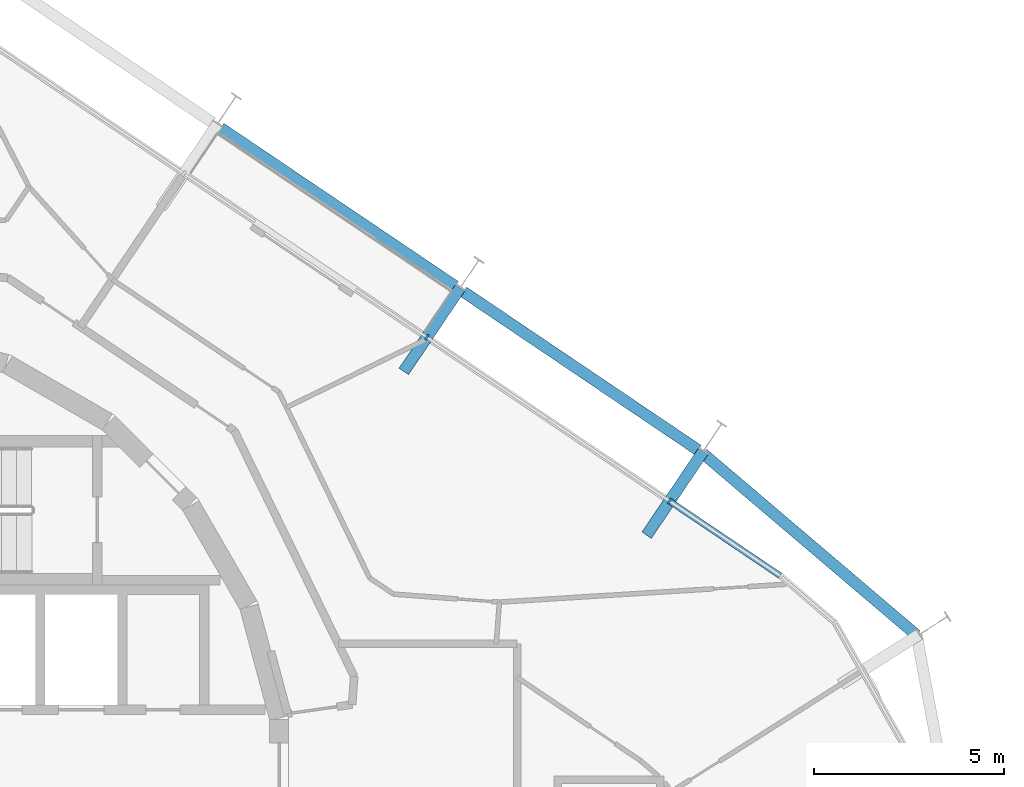
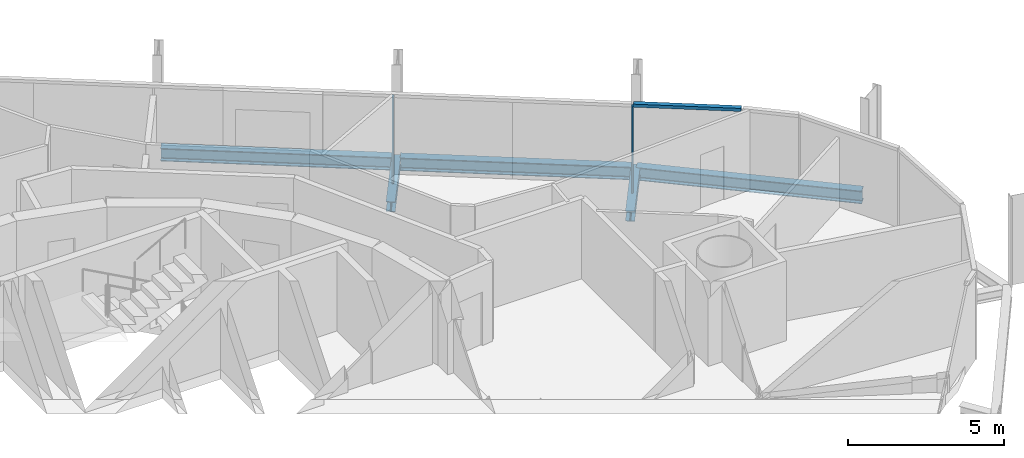
# One storey, part 9 of 17: 5 beams, 3 members, 2 elements without a shape of their own.
"""IFC4 building model written with IfcOpenShell, lengths in metres."""

from ifc_helpers import new_model, si_unit, direction, frame, origin, origin_2d, place, context, subcontext, project, spatial, rectangle, i_section, extrude, material, layer, layer_set, material_profile, profile_set, type_object, element, aggregate, save


model = new_model("IFC4")

# Units and contexts
model_context = context("Model", 3, precision=1e-05, world=origin(), true_north=direction((0.0, 1.0)))
body_context = subcontext(model_context, "Body", "Model", "MODEL_VIEW")
ifc_project = project(units=[si_unit("LENGTHUNIT", "METRE"), si_unit("AREAUNIT", "SQUARE_METRE"), si_unit("VOLUMEUNIT", "CUBIC_METRE"), si_unit("PLANEANGLEUNIT", "RADIAN"), si_unit("MASSUNIT", "GRAM", prefix="KILO")], contexts=[model_context])

# Site, building, storey
site_placement = place(None, origin())
site = spatial("IfcSite", under=ifc_project, at=site_placement, CompositionType="ELEMENT")
building_placement = place(site_placement, origin())
building = spatial("IfcBuilding", under=site, at=building_placement, Name="Spindle Arch Residences", CompositionType="ELEMENT")
storey_placement = place(building_placement, frame((0.0, 0.0, 209.39990234375)))
storey = spatial("IfcBuildingStorey", under=building, at=storey_placement, Name="L53", CompositionType="ELEMENT", Elevation=209.39990234375)

# Curtain wall, members
ifc_material_1 = material(Name="Aluminium bronze unitised frame with tinted glass", Category="aluminium")
ifc_layer_1 = layer(ifc_material_1, 0.159912109375)
ifc_layer_set_1 = layer_set([ifc_layer_1], Name="CW-C typical residential unitised wall")
curtain_wall_type_1 = type_object("IfcCurtainWallType", Name="CW-C typical residential unitised wall", PredefinedType="NOTDEFINED", material=ifc_layer_set_1)
curtain_wall_1_placement = place(storey_placement, origin())
curtain_wall_1 = element("IfcCurtainWall", 1, at=curtain_wall_1_placement, inside=storey, type_object=curtain_wall_type_1, Name="CW-C L53 run 2", PredefinedType="NOTDEFINED")
ifc_material_2 = material(Name="Aluminium bronze anodised mullion", Category="aluminium")
ifc_material_profile_1 = material_profile(ifc_material_2, rectangle(XDim=0.159912109375, YDim=0.06005859375, at=origin_2d()), Name="MU 60x160")
ifc_profile_set_1 = profile_set([ifc_material_profile_1], Name="Aluminium bronze anodised mullion")
member_type_1 = type_object("IfcMemberType", Name="Bronze mullion 60x160", PredefinedType="MULLION", material=ifc_profile_set_1)
member_1_placement = place(storey_placement, frame((21.905029296875, 7.25146484375, -0.3798828125), z_axis=(0.0, 0.0, 1.0), x_axis=(-0.559192903471, -0.829037572555, 0.0)))
member_1 = element("IfcMember", 2, at=member_1_placement, type_object=member_type_1, Name="CW-C mullion 05", PredefinedType="MULLION", context=body_context, shape_type="SweptSolid", body=[
    extrude(rectangle(XDim=0.159912109375, YDim=0.06005859375, at=origin_2d()), origin(), (0.0, 0.0, 1.0), 3.3798828125),
])
member_2_placement = place(storey_placement, frame((15.526611328125, 11.5537109375, -0.3798828125), z_axis=(0.0, 0.0, 1.0), x_axis=(-0.559192903471, -0.829037572555, 0.0)))
member_2 = element("IfcMember", 3, at=member_2_placement, type_object=member_type_1, Name="CW-C mullion 06", PredefinedType="MULLION", context=body_context, shape_type="SweptSolid", body=[
    extrude(rectangle(XDim=0.159912109375, YDim=0.06005859375, at=origin_2d()), origin(), (0.0, 0.0, 1.0), 3.3798828125),
])
aggregate(curtain_wall_1, [member_1, member_2])

# Curtain wall, member
ifc_material_3 = material(Name="Aluminium bronze unitised frame with tinted glass", Category="aluminium")
ifc_layer_2 = layer(ifc_material_3, 0.159912109375)
ifc_layer_set_2 = layer_set([ifc_layer_2], Name="CW-D corner wall on the fillet arcs")
curtain_wall_type_2 = type_object("IfcCurtainWallType", Name="CW-D corner wall on the fillet arcs", PredefinedType="NOTDEFINED", material=ifc_layer_set_2)
curtain_wall_2_placement = place(storey_placement, origin())
curtain_wall_2 = element("IfcCurtainWall", 4, at=curtain_wall_2_placement, inside=storey, type_object=curtain_wall_type_2, Name="CW-D L53 run 1", PredefinedType="NOTDEFINED")
ifc_material_4 = material(Name="Aluminium bronze anodised transom", Category="aluminium")
ifc_material_profile_2 = material_profile(ifc_material_4, rectangle(XDim=0.159912109375, YDim=0.1201171875, at=origin_2d()), Name="TR 120x160")
ifc_profile_set_2 = profile_set([ifc_material_profile_2], Name="Aluminium bronze anodised transom")
member_type_2 = type_object("IfcMemberType", Name="Bronze transom 120x160", PredefinedType="USERDEFINED", material=ifc_profile_set_2)
member_3_placement = place(storey_placement, frame((24.805419921875, 5.295166015625, 3.06005859375), z_axis=(-0.829049362711, 0.559175423448, 0.0), x_axis=(-0.559175423448, -0.829049362711, 0.0)))
member_3 = element("IfcMember", 5, at=member_3_placement, type_object=member_type_2, Name="CW-D transom 06", ObjectType="TRANSOM", PredefinedType="USERDEFINED", context=body_context, shape_type="SweptSolid", body=[
    extrude(rectangle(XDim=0.159912109375, YDim=0.1201171875, at=origin_2d()), origin(), (0.0, 0.0, 1.0), 3.468505859375),
])
aggregate(curtain_wall_2, [member_3])

# Beams
ifc_material_5 = material(Name="Steel S460ML, intumescent coating R 120", Category="steel")
ifc_material_profile_3 = material_profile(ifc_material_5, i_section(OverallWidth=0.300048828125, OverallDepth=0.5, WebThickness=0.014404296875, FlangeThickness=0.028076171875, FilletRadius=0.027099609375, at=origin_2d()), Name="HEB 500")
ifc_profile_set_3 = profile_set([ifc_material_profile_3], Name="Steel S460ML, intumescent coating R 120")
beam_type_1 = type_object("IfcBeamType", Name="Exoskeleton edge beam HEB 500", PredefinedType="BEAM", material=ifc_profile_set_3)
beam_placement = place(storey_placement, frame((28.39208984375, 3.72998046875, -0.6298828125), z_axis=(-0.761813327651, 0.647796614543, 0.0), x_axis=(-0.647796614543, -0.761813327651, 0.0)))
element("IfcBeam", 6, at=beam_placement, inside=storey, type_object=beam_type_1, Name="Exoskeleton edge beam 5", PredefinedType="BEAM", context=body_context, shape_type="SweptSolid", body=[
    extrude(i_section(OverallWidth=0.300048828125, OverallDepth=0.5, WebThickness=0.014404296875, FlangeThickness=0.028076171875, FilletRadius=0.027099609375, at=origin_2d()), origin(), (0.0, 0.0, 1.0), 7.36376953125),
])
for number, where, z_axis, x_axis, name in (
    (7, (22.65283203125, 8.592529296875, -0.6298828125), (-0.829031763913, 0.55920151504, 0.0), (-0.55920151504, -0.829031763913, 0.0), "Exoskeleton edge beam 6"),
    (8, (16.2744140625, 12.894775390625, -0.6298828125), (-0.829031763913, 0.55920151504, 0.0), (-0.55920151504, -0.829031763913, 0.0), "Exoskeleton edge beam 7"),
):
    element("IfcBeam", number, at=place(storey_placement, frame(where, z_axis=z_axis, x_axis=x_axis)), inside=storey, type_object=beam_type_1, Name=name, PredefinedType="BEAM", context=body_context, shape_type="SweptSolid", body=[
        extrude(i_section(OverallWidth=0.300048828125, OverallDepth=0.5, WebThickness=0.014404296875, FlangeThickness=0.028076171875, FilletRadius=0.027099609375, at=origin_2d()), origin(), (0.0, 0.0, 1.0), 7.433837890625),
    ])
ifc_material_6 = material(Name="Steel S460ML, intumescent coating R 120", Category="steel")
ifc_material_profile_4 = material_profile(ifc_material_6, i_section(OverallWidth=0.300048828125, OverallDepth=0.389892578125, WebThickness=0.010986328125, FlangeThickness=0.01904296875, FilletRadius=0.027099609375, at=origin_2d()), Name="HEA 400")
ifc_profile_set_4 = profile_set([ifc_material_profile_4], Name="Steel S460ML, intumescent coating R 120")
beam_type_2 = type_object("IfcBeamType", Name="Floor outrigger HEA 400", PredefinedType="BEAM", material=ifc_profile_set_4)
for number, where, z_axis, x_axis, name in (
    (9, (22.782958984375, 8.552978515625, -0.574951171875), (-0.559199099546, -0.829033393216, 0.0), (0.829033393216, -0.559199099546, 0.0), "Floor outrigger 6"),
    (10, (16.404541015625, 12.855224609375, -0.574951171875), (-0.559199099546, -0.829033393216, 0.0), (0.829033393216, -0.559199099546, 0.0), "Floor outrigger 7"),
):
    element("IfcBeam", number, at=place(storey_placement, frame(where, z_axis=z_axis, x_axis=x_axis)), inside=storey, type_object=beam_type_2, Name=name, PredefinedType="BEAM", context=body_context, shape_type="SweptSolid", body=[
        extrude(i_section(OverallWidth=0.300048828125, OverallDepth=0.389892578125, WebThickness=0.010986328125, FlangeThickness=0.01904296875, FilletRadius=0.027099609375, at=origin_2d()), origin(), (0.0, 0.0, 1.0), 2.650146484375),
    ])

save(model, "model.ifc")
